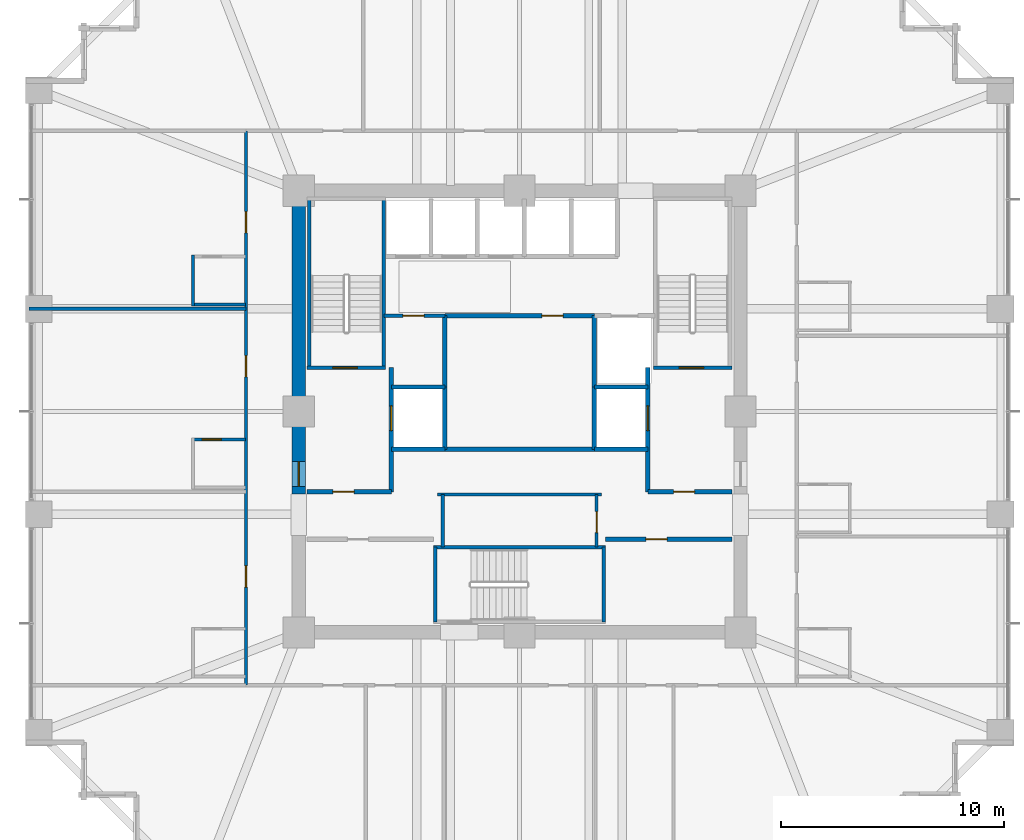
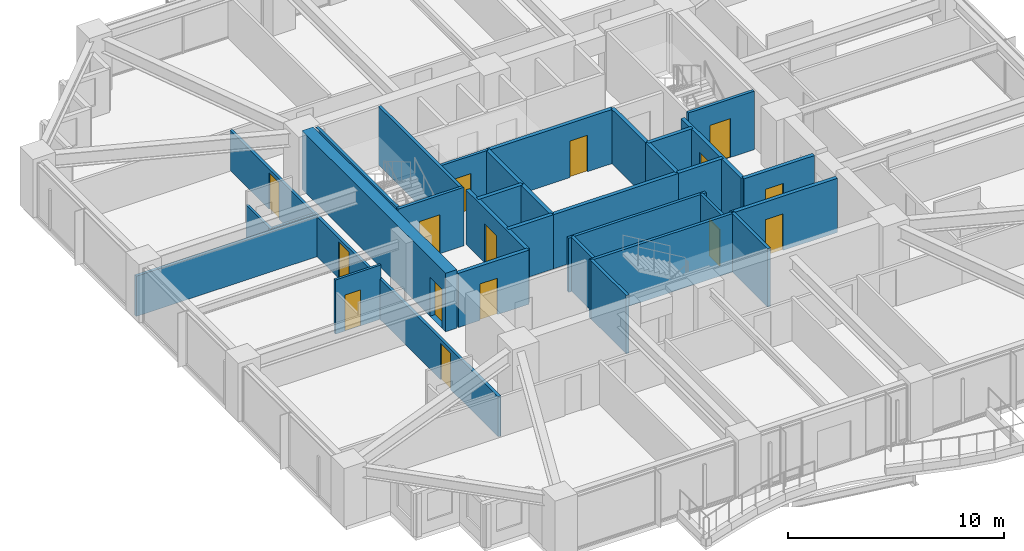
# One storey, part 33 of 38: 32 walls, 15 doors, 15 openings.
"""IFC4 building model written with IfcOpenShell, lengths in metres."""

from ifc_helpers import new_model, si_unit, direction, frame, frame_2d, origin, place, context, subcontext, project, spatial, rectangle, extrude, material, layer, layer_set, type_object, element, fill, save


model = new_model("IFC4")

# Units and contexts
model_context = context("Model", 3, precision=1e-05, world=origin(), true_north=direction((0.0, 1.0)))
body_context = subcontext(model_context, "Body", "Model", "MODEL_VIEW")
ifc_project = project(units=[si_unit("LENGTHUNIT", "METRE"), si_unit("AREAUNIT", "SQUARE_METRE"), si_unit("VOLUMEUNIT", "CUBIC_METRE"), si_unit("PLANEANGLEUNIT", "RADIAN"), si_unit("MASSUNIT", "GRAM", prefix="KILO")], contexts=[model_context])

# Site, building, storey
site_placement = place(None, origin())
site = spatial("IfcSite", under=ifc_project, at=site_placement, CompositionType="ELEMENT")
building_placement = place(site_placement, origin())
building = spatial("IfcBuilding", under=site, at=building_placement, Name="Kolvaren Belvedere", CompositionType="ELEMENT")
storey_placement = place(building_placement, frame((0.0, 0.0, 30.39990234375)))
storey = spatial("IfcBuildingStorey", under=building, at=storey_placement, Name="L08", CompositionType="ELEMENT", Elevation=30.39990234375)

# Wall, opening, door
ifc_material_1 = material(Name="Concrete C60/75", Category="concrete")
ifc_layer_1 = layer(ifc_material_1, 0.60009765625)
ifc_layer_set_1 = layer_set([ifc_layer_1], Name="Concrete C60/75")
wall_type_1 = type_object("IfcWallType", Name="CW-CORE-600", PredefinedType="SHEAR", material=ifc_layer_set_1)
wall_1_placement = place(storey_placement, frame((-9.89990234375, -3.699951171875, 0.0), z_axis=(0.0, 0.0, 1.0), x_axis=(0.0, 1.0, 0.0)))
wall_1 = element("IfcWall", 1, at=wall_1_placement, inside=storey, type_object=wall_type_1, Name="L08 West Core Shear Wall 2", PredefinedType="SHEAR", context=body_context, shape_type="SweptSolid", body=[
    extrude(rectangle(XDim=13.300048828125, YDim=0.60009765625, at=frame_2d((6.64990234375, 0.0))), origin(), (0.0, 0.0, 1.0), 3.300048828125),
])
opening_1_placement = place(wall_1_placement, frame((0.35009765625, 0.0, 0.0)))
opening_1 = element("IfcOpeningElement", 2, at=opening_1_placement, cuts=wall_1, Name="Opening D-FD90", PredefinedType="OPENING", context=body_context, shape_type="SweptSolid", body=[
    extrude(rectangle(XDim=1.10009765625, YDim=2.199951171875, at=frame_2d((0.550048828125, 1.10009765625))), frame((0.0, 0.31005859375, 0.0), z_axis=(0.0, -1.0, 0.0), x_axis=(1.0, 0.0, 0.0)), (0.0, 0.0, 1.0), 0.6201171875),
])
ifc_material_2 = material(Name="Painted hollow stainless steel", Category="steel")
door_type_1 = type_object("IfcDoorType", Name="DR-FD90-1100", OperationType="NOTDEFINED", PredefinedType="DOOR", material=ifc_material_2)
door_1_placement = place(opening_1_placement, origin())
door_1 = element("IfcDoor", 3, at=door_1_placement, inside=storey, type_object=door_type_1, Name="L08 West Firefighting Lobby Fire Door", OperationType="SINGLE_SWING_LEFT", OverallHeight=2.199951171875, OverallWidth=1.10009765625, PredefinedType="DOOR", context=body_context, shape_type="SweptSolid", body=[
    extrude(rectangle(XDim=1.10009765625, YDim=2.199951171875, at=frame_2d((0.550048828125, 1.10009765625))), frame((0.0, 0.02490234375, 0.0), z_axis=(0.0, -1.0, 0.0), x_axis=(1.0, 0.0, 0.0)), (0.0, 0.0, 1.0), 0.050048828125),
])
fill(opening_1, door_1)

ifc_material_3 = material(Name="Concrete C50/60", Category="concrete")
ifc_layer_2 = layer(ifc_material_3, 0.159912109375)
ifc_layer_set_2 = layer_set([ifc_layer_2], Name="Concrete C50/60")
wall_type_2 = type_object("IfcWallType", Name="CW-STAIR-160", PredefinedType="SHEAR", material=ifc_layer_set_2)
wall_2_placement = place(storey_placement, frame((-9.52001953125, 1.969970703125, 0.0), z_axis=(0.0, 0.0, 1.0), x_axis=(1.0, 0.0, 0.0)))
wall_2 = element("IfcWall", 4, at=wall_2_placement, inside=storey, type_object=wall_type_2, Name="L08 Stair ST-1 South Shear Wall", PredefinedType="SHEAR", context=body_context, shape_type="SweptSolid", body=[
    extrude(rectangle(XDim=3.52001953125, YDim=0.159912109375, at=frame_2d((1.760009765625, 0.0))), origin(), (0.0, 0.0, 1.0), 3.300048828125),
])
opening_2_placement = place(wall_2_placement, frame((1.14990234375, 0.0, 0.0)))
opening_2 = element("IfcOpeningElement", 5, at=opening_2_placement, cuts=wall_2, Name="Opening D-FD90", PredefinedType="OPENING", context=body_context, shape_type="SweptSolid", body=[
    extrude(rectangle(XDim=1.10009765625, YDim=2.199951171875, at=frame_2d((0.550048828125, 1.10009765625))), frame((0.0, 0.08984375, 0.0), z_axis=(0.0, -1.0, 0.0), x_axis=(1.0, 0.0, 0.0)), (0.0, 0.0, 1.0), 0.179931640625),
])
door_2_placement = place(opening_2_placement, origin())
door_2 = element("IfcDoor", 6, at=door_2_placement, inside=storey, type_object=door_type_1, Name="L08 Stair ST-1 Fire Door", OperationType="SINGLE_SWING_LEFT", OverallHeight=2.199951171875, OverallWidth=1.10009765625, PredefinedType="DOOR", context=body_context, shape_type="SweptSolid", body=[
    extrude(rectangle(XDim=1.10009765625, YDim=2.199951171875, at=frame_2d((0.550048828125, 1.10009765625))), frame((0.0, 0.02490234375, 0.0), z_axis=(0.0, -1.0, 0.0), x_axis=(1.0, 0.0, 0.0)), (0.0, 0.0, 1.0), 0.050048828125),
])
fill(opening_2, door_2)

# Walls
for number, where, z_axis, x_axis, name in (
    (7, (-9.429931640625, 1.969970703125, 0.0), (0.0, 0.0, 1.0), (0.0, 1.0, 0.0), "L08 Stair ST-1 West Shear Wall"),
    (8, (-6.080078125, 1.969970703125, 0.0), (0.0, 0.0, 1.0), (0.0, 1.0, 0.0), "L08 Stair ST-1 East Shear Wall"),
):
    element("IfcWall", number, at=place(storey_placement, frame(where, z_axis=z_axis, x_axis=x_axis)), inside=storey, type_object=wall_type_2, Name=name, PredefinedType="SHEAR", context=body_context, shape_type="SweptSolid", body=[
        extrude(rectangle(XDim=7.56005859375, YDim=0.159912109375, at=frame_2d((3.780029296875, 0.0))), origin(), (0.0, 0.0, 1.0), 3.300048828125),
    ])

# Wall, opening, door
wall_3_placement = place(storey_placement, frame((6.0, 1.969970703125, 0.0), z_axis=(0.0, 0.0, 1.0), x_axis=(1.0, 0.0, 0.0)))
wall_3 = element("IfcWall", 9, at=wall_3_placement, inside=storey, type_object=wall_type_2, Name="L08 Stair ST-2 South Shear Wall", PredefinedType="SHEAR", context=body_context, shape_type="SweptSolid", body=[
    extrude(rectangle(XDim=3.52001953125, YDim=0.159912109375, at=frame_2d((1.760009765625, 0.0))), origin(), (0.0, 0.0, 1.0), 3.300048828125),
])
opening_3_placement = place(wall_3_placement, frame((1.14990234375, 0.0, 0.0)))
opening_3 = element("IfcOpeningElement", 10, at=opening_3_placement, cuts=wall_3, Name="Opening D-FD90", PredefinedType="OPENING", context=body_context, shape_type="SweptSolid", body=[
    extrude(rectangle(XDim=1.10009765625, YDim=2.199951171875, at=frame_2d((0.550048828125, 1.10009765625))), frame((0.0, 0.08984375, 0.0), z_axis=(0.0, -1.0, 0.0), x_axis=(1.0, 0.0, 0.0)), (0.0, 0.0, 1.0), 0.179931640625),
])
door_3_placement = place(opening_3_placement, origin())
door_3 = element("IfcDoor", 11, at=door_3_placement, inside=storey, type_object=door_type_1, Name="L08 Stair ST-2 Fire Door", OperationType="SINGLE_SWING_RIGHT", OverallHeight=2.199951171875, OverallWidth=1.10009765625, PredefinedType="DOOR", context=body_context, shape_type="SweptSolid", body=[
    extrude(rectangle(XDim=1.10009765625, YDim=2.199951171875, at=frame_2d((0.550048828125, 1.10009765625))), frame((0.0, 0.02490234375, 0.0), z_axis=(0.0, -1.0, 0.0), x_axis=(1.0, 0.0, 0.0)), (0.0, 0.0, 1.0), 0.050048828125),
])
fill(opening_3, door_3)

# Walls
wall_4_placement = place(storey_placement, frame((-3.860107421875, -6.080078125, 0.0), z_axis=(0.0, 0.0, 1.0), x_axis=(1.0, 0.0, 0.0)))
element("IfcWall", 12, at=wall_4_placement, inside=storey, type_object=wall_type_2, Name="L08 Stair ST-3 North Shear Wall", PredefinedType="SHEAR", context=body_context, shape_type="SweptSolid", body=[
    extrude(rectangle(XDim=7.72021484375, YDim=0.159912109375, at=frame_2d((3.860107421875, 0.0))), origin(), (0.0, 0.0, 1.0), 3.300048828125),
])
for number, where, z_axis, x_axis, name in (
    (13, (-3.780029296875, -9.429931640625, 0.0), (0.0, 0.0, 1.0), (0.0, 1.0, 0.0), "L08 Stair ST-3 West Shear Wall"),
    (14, (3.780029296875, -9.429931640625, 0.0), (0.0, 0.0, 1.0), (0.0, 1.0, 0.0), "L08 Stair ST-3 East Shear Wall"),
):
    element("IfcWall", number, at=place(storey_placement, frame(where, z_axis=z_axis, x_axis=x_axis)), inside=storey, type_object=wall_type_2, Name=name, PredefinedType="SHEAR", context=body_context, shape_type="SweptSolid", body=[
        extrude(rectangle(XDim=3.349853515625, YDim=0.159912109375, at=frame_2d((1.6748046875, 0.0))), origin(), (0.0, 0.0, 1.0), 3.300048828125),
    ])

# Wall, openings, doors
ifc_material_4 = material(Name="Gypsum fire-rated partition assembly", Category="gypsum")
ifc_layer_3 = layer(ifc_material_4, 0.14990234375)
ifc_layer_set_3 = layer_set([ifc_layer_3], Name="Gypsum fire-rated partition assembly")
wall_type_3 = type_object("IfcWallType", Name="WL-CORR-150", PredefinedType="PARTITIONING", material=ifc_layer_set_3)
wall_5_placement = place(storey_placement, frame((-12.260009765625, -12.260009765625, 0.0), z_axis=(0.0, 0.0, 1.0), x_axis=(0.0, 1.0, 0.0)))
wall_5 = element("IfcWall", 15, at=wall_5_placement, inside=storey, type_object=wall_type_3, Name="L08 West Corridor Wall", PredefinedType="PARTITIONING", context=body_context, shape_type="SweptSolid", body=[
    extrude(rectangle(XDim=24.840087890625, YDim=0.14990234375, at=frame_2d((12.419921875, 0.0))), origin(), (0.0, 0.0, 1.0), 2.272216796875),
])
opening_4_placement = place(wall_5_placement, frame((4.39453125, 0.0, 0.0)))
opening_4 = element("IfcOpeningElement", 16, at=opening_4_placement, cuts=wall_5, Name="Opening D-FD60", PredefinedType="OPENING", context=body_context, shape_type="SweptSolid", body=[
    extrude(rectangle(XDim=0.949951171875, YDim=2.06005859375, at=frame_2d((0.47509765625, 1.030029296875))), frame((0.0, 0.0849609375, 0.0), z_axis=(0.0, -1.0, 0.0), x_axis=(1.0, 0.0, 0.0)), (0.0, 0.0, 1.0), 0.169921875),
])
opening_5_placement = place(wall_5_placement, frame((13.81494140625, 0.0, 0.0)))
opening_5 = element("IfcOpeningElement", 17, at=opening_5_placement, cuts=wall_5, Name="Opening D-FD60", PredefinedType="OPENING", context=body_context, shape_type="SweptSolid", body=[
    extrude(rectangle(XDim=0.949951171875, YDim=2.06005859375, at=frame_2d((0.47509765625, 1.030029296875))), frame((0.0, 0.0849609375, 0.0), z_axis=(0.0, -1.0, 0.0), x_axis=(1.0, 0.0, 0.0)), (0.0, 0.0, 1.0), 0.169921875),
])
opening_6_placement = place(wall_5_placement, frame((20.267578125, 0.0, 0.0)))
opening_6 = element("IfcOpeningElement", 18, at=opening_6_placement, cuts=wall_5, Name="Opening D-FD60", PredefinedType="OPENING", context=body_context, shape_type="SweptSolid", body=[
    extrude(rectangle(XDim=0.949951171875, YDim=2.06005859375, at=frame_2d((0.47509765625, 1.030029296875))), frame((0.0, 0.0849609375, 0.0), z_axis=(0.0, -1.0, 0.0), x_axis=(1.0, 0.0, 0.0)), (0.0, 0.0, 1.0), 0.169921875),
])
ifc_material_5 = material(Name="Acoustic white-oak fire door leaf", Category="timber")
door_type_2 = type_object("IfcDoorType", Name="DR-FD60-950", OperationType="NOTDEFINED", PredefinedType="DOOR", material=ifc_material_5)
door_4_placement = place(opening_4_placement, origin())
door_4 = element("IfcDoor", 19, at=door_4_placement, inside=storey, type_object=door_type_2, Name="L08 Panoramic Corner Hospitality Suite 809 Entry Door", OperationType="SINGLE_SWING_LEFT", OverallHeight=2.06005859375, OverallWidth=0.949951171875, PredefinedType="DOOR", context=body_context, shape_type="SweptSolid", body=[
    extrude(rectangle(XDim=0.949951171875, YDim=2.06005859375, at=frame_2d((0.47509765625, 1.030029296875))), frame((0.0, 0.02490234375, 0.0), z_axis=(0.0, -1.0, 0.0), x_axis=(1.0, 0.0, 0.0)), (0.0, 0.0, 1.0), 0.050048828125),
])
fill(opening_4, door_4)
door_5_placement = place(opening_5_placement, origin())
door_5 = element("IfcDoor", 20, at=door_5_placement, inside=storey, type_object=door_type_2, Name="L08 Panoramic Corner Hospitality Suite 810 Entry Door", OperationType="SINGLE_SWING_LEFT", OverallHeight=2.06005859375, OverallWidth=0.949951171875, PredefinedType="DOOR", context=body_context, shape_type="SweptSolid", body=[
    extrude(rectangle(XDim=0.949951171875, YDim=2.06005859375, at=frame_2d((0.47509765625, 1.030029296875))), frame((0.0, 0.02490234375, 0.0), z_axis=(0.0, -1.0, 0.0), x_axis=(1.0, 0.0, 0.0)), (0.0, 0.0, 1.0), 0.050048828125),
])
fill(opening_5, door_5)
door_6_placement = place(opening_6_placement, origin())
door_6 = element("IfcDoor", 21, at=door_6_placement, inside=storey, type_object=door_type_2, Name="L08 Panoramic Corner Hospitality Suite 811 Entry Door", OperationType="SINGLE_SWING_LEFT", OverallHeight=2.06005859375, OverallWidth=0.949951171875, PredefinedType="DOOR", context=body_context, shape_type="SweptSolid", body=[
    extrude(rectangle(XDim=0.949951171875, YDim=2.06005859375, at=frame_2d((0.47509765625, 1.030029296875))), frame((0.0, 0.02490234375, 0.0), z_axis=(0.0, -1.0, 0.0), x_axis=(1.0, 0.0, 0.0)), (0.0, 0.0, 1.0), 0.050048828125),
])
fill(opening_6, door_6)

# Wall
ifc_material_6 = material(Name="Gypsum acoustic partition assembly", Category="gypsum")
ifc_layer_4 = layer(ifc_material_6, 0.14990234375)
ifc_layer_set_4 = layer_set([ifc_layer_4], Name="Gypsum acoustic partition assembly")
wall_type_4 = type_object("IfcWallType", Name="WL-PART-150", PredefinedType="PARTITIONING", material=ifc_layer_set_4)
wall_6_placement = place(storey_placement, frame((-3.679931640625, -3.719970703125, 0.0), z_axis=(0.0, 0.0, 1.0), x_axis=(1.0, 0.0, 0.0)))
element("IfcWall", 22, at=wall_6_placement, inside=storey, type_object=wall_type_4, Name="L08 South Core Service North Wall", PredefinedType="PARTITIONING", context=body_context, shape_type="SweptSolid", body=[
    extrude(rectangle(XDim=7.35986328125, YDim=0.14990234375, at=frame_2d((3.679931640625, 0.0))), origin(), (0.0, 0.0, 1.0), 3.06005859375),
])

# Wall, opening, door
wall_7_placement = place(storey_placement, frame((3.449951171875, -6.080078125, 0.0), z_axis=(0.0, 0.0, 1.0), x_axis=(0.0, 1.0, 0.0)))
wall_7 = element("IfcWall", 23, at=wall_7_placement, inside=storey, type_object=wall_type_4, Name="L08 South Core Service East Wall", PredefinedType="PARTITIONING", context=body_context, shape_type="SweptSolid", body=[
    extrude(rectangle(XDim=2.360107421875, YDim=0.14990234375, at=frame_2d((1.18017578125, 0.0))), origin(), (0.0, 0.0, 1.0), 3.06005859375),
])
opening_7_placement = place(wall_7_placement, frame((0.64990234375, 0.0, 0.0)))
opening_7 = element("IfcOpeningElement", 24, at=opening_7_placement, cuts=wall_7, Name="Opening D-FD60", PredefinedType="OPENING", context=body_context, shape_type="SweptSolid", body=[
    extrude(rectangle(XDim=0.949951171875, YDim=2.06005859375, at=frame_2d((0.47509765625, 1.030029296875))), frame((0.0, 0.0849609375, 0.0), z_axis=(0.0, -1.0, 0.0), x_axis=(1.0, 0.0, 0.0)), (0.0, 0.0, 1.0), 0.169921875),
])
door_7_placement = place(opening_7_placement, origin())
door_7 = element("IfcDoor", 25, at=door_7_placement, inside=storey, type_object=door_type_2, Name="L08 Core Service Room Door", OperationType="SINGLE_SWING_LEFT", OverallHeight=2.06005859375, OverallWidth=0.949951171875, PredefinedType="DOOR", context=body_context, shape_type="SweptSolid", body=[
    extrude(rectangle(XDim=0.949951171875, YDim=2.06005859375, at=frame_2d((0.47509765625, 1.030029296875))), frame((0.0, 0.02490234375, 0.0), z_axis=(0.0, -1.0, 0.0), x_axis=(1.0, 0.0, 0.0)), (0.0, 0.0, 1.0), 0.050048828125),
])
fill(opening_7, door_7)

# Wall
wall_8_placement = place(storey_placement, frame((-3.449951171875, -6.080078125, 0.0), z_axis=(0.0, 0.0, 1.0), x_axis=(0.0, 1.0, 0.0)))
element("IfcWall", 26, at=wall_8_placement, inside=storey, type_object=wall_type_4, Name="L08 South Core Service West Wall", PredefinedType="PARTITIONING", context=body_context, shape_type="SweptSolid", body=[
    extrude(rectangle(XDim=2.360107421875, YDim=0.14990234375, at=frame_2d((1.18017578125, 0.0))), origin(), (0.0, 0.0, 1.0), 3.06005859375),
])

# Wall, opening, door
wall_9_placement = place(storey_placement, frame((-6.080078125, 4.300048828125, 0.0), z_axis=(0.0, 0.0, 1.0), x_axis=(1.0, 0.0, 0.0)))
wall_9 = element("IfcWall", 27, at=wall_9_placement, inside=storey, type_object=wall_type_4, Name="L08 NW Service Room North Wall", PredefinedType="PARTITIONING", context=body_context, shape_type="SweptSolid", body=[
    extrude(rectangle(XDim=2.72998046875, YDim=0.14990234375, at=frame_2d((1.364990234375, 0.0))), origin(), (0.0, 0.0, 1.0), 3.06005859375),
])
opening_8_placement = place(wall_9_placement, frame((0.85009765625, 0.0, 0.0)))
opening_8 = element("IfcOpeningElement", 28, at=opening_8_placement, cuts=wall_9, Name="Opening D-FD60", PredefinedType="OPENING", context=body_context, shape_type="SweptSolid", body=[
    extrude(rectangle(XDim=0.949951171875, YDim=2.06005859375, at=frame_2d((0.47509765625, 1.030029296875))), frame((0.0, 0.0849609375, 0.0), z_axis=(0.0, -1.0, 0.0), x_axis=(1.0, 0.0, 0.0)), (0.0, 0.0, 1.0), 0.169921875),
])
door_8_placement = place(opening_8_placement, origin())
door_8 = element("IfcDoor", 29, at=door_8_placement, inside=storey, type_object=door_type_2, Name="L08 NW Core Store Door", OperationType="SINGLE_SWING_RIGHT", OverallHeight=2.06005859375, OverallWidth=0.949951171875, PredefinedType="DOOR", context=body_context, shape_type="SweptSolid", body=[
    extrude(rectangle(XDim=0.949951171875, YDim=2.06005859375, at=frame_2d((0.47509765625, 1.030029296875))), frame((0.0, 0.02490234375, 0.0), z_axis=(0.0, -1.0, 0.0), x_axis=(1.0, 0.0, 0.0)), (0.0, 0.0, 1.0), 0.050048828125),
])
fill(opening_8, door_8)

# Wall
wall_10_placement = place(storey_placement, frame((-21.97998046875, 4.60009765625, 0.0), z_axis=(0.0, 0.0, 1.0), x_axis=(1.0, 0.0, 0.0)))
element("IfcWall", 30, at=wall_10_placement, inside=storey, type_object=wall_type_4, Name="L08 West Suite Demising Wall 2", PredefinedType="PARTITIONING", context=body_context, shape_type="SweptSolid", body=[
    extrude(rectangle(XDim=9.719970703125, YDim=0.14990234375, at=frame_2d((4.85986328125, 0.0))), origin(), (0.0, 0.0, 1.0), 2.272216796875),
])

# Wall, opening, door
ifc_material_7 = material(Name="Concrete C50/60", Category="concrete")
ifc_layer_5 = layer(ifc_material_7, 0.199951171875)
ifc_layer_set_5 = layer_set([ifc_layer_5], Name="Concrete C50/60")
wall_type_5 = type_object("IfcWallType", Name="WL-SHAFT-200", PredefinedType="SOLIDWALL", material=ifc_layer_set_5)
wall_11_placement = place(storey_placement, frame((-9.52001953125, -3.60009765625, 0.0), z_axis=(0.0, 0.0, 1.0), x_axis=(1.0, 0.0, 0.0)))
wall_11 = element("IfcWall", 31, at=wall_11_placement, inside=storey, type_object=wall_type_5, Name="L08 West FSAE Lobby South Wall", PredefinedType="SOLIDWALL", context=body_context, shape_type="SweptSolid", body=[
    extrude(rectangle(XDim=3.77001953125, YDim=0.199951171875, at=frame_2d((1.885009765625, 0.0))), origin(), (0.0, 0.0, 1.0), 3.06005859375),
])
opening_9_placement = place(wall_11_placement, frame((1.14990234375, 0.0, 0.0)))
opening_9 = element("IfcOpeningElement", 32, at=opening_9_placement, cuts=wall_11, Name="Opening D-FD60", PredefinedType="OPENING", context=body_context, shape_type="SweptSolid", body=[
    extrude(rectangle(XDim=0.949951171875, YDim=2.06005859375, at=frame_2d((0.47509765625, 1.030029296875))), frame((0.0, 0.10986328125, 0.0), z_axis=(0.0, -1.0, 0.0), x_axis=(1.0, 0.0, 0.0)), (0.0, 0.0, 1.0), 0.219970703125),
])
door_9_placement = place(opening_9_placement, origin())
door_9 = element("IfcDoor", 33, at=door_9_placement, inside=storey, type_object=door_type_2, Name="L08 SW Lift Lobby Fire Door", OperationType="SINGLE_SWING_LEFT", OverallHeight=2.06005859375, OverallWidth=0.949951171875, PredefinedType="DOOR", context=body_context, shape_type="SweptSolid", body=[
    extrude(rectangle(XDim=0.949951171875, YDim=2.06005859375, at=frame_2d((0.47509765625, 1.030029296875))), frame((0.0, 0.02490234375, 0.0), z_axis=(0.0, -1.0, 0.0), x_axis=(1.0, 0.0, 0.0)), (0.0, 0.0, 1.0), 0.050048828125),
])
fill(opening_9, door_9)

wall_12_placement = place(storey_placement, frame((-5.75, -3.60009765625, 0.0), z_axis=(0.0, 0.0, 1.0), x_axis=(0.0, 1.0, 0.0)))
wall_12 = element("IfcWall", 34, at=wall_12_placement, inside=storey, type_object=wall_type_5, Name="L08 FSAE FS1 Landing Wall", PredefinedType="SOLIDWALL", context=body_context, shape_type="SweptSolid", body=[
    extrude(rectangle(XDim=5.570068359375, YDim=0.199951171875, at=frame_2d((2.78515625, 0.0))), origin(), (0.0, 0.0, 1.0), 3.06005859375),
])
opening_10_placement = place(wall_12_placement, frame((2.75, 0.0, 0.0)))
opening_10 = element("IfcOpeningElement", 35, at=opening_10_placement, cuts=wall_12, Name="Opening LD-11", PredefinedType="OPENING", context=body_context, shape_type="SweptSolid", body=[
    extrude(rectangle(XDim=1.10009765625, YDim=2.199951171875, at=frame_2d((0.550048828125, 1.10009765625))), frame((0.0, 0.10986328125, 0.0), z_axis=(0.0, -1.0, 0.0), x_axis=(1.0, 0.0, 0.0)), (0.0, 0.0, 1.0), 0.219970703125),
])
ifc_material_8 = material(Name="Brushed stainless steel", Category="steel")
door_type_3 = type_object("IfcDoorType", Name="DR-LIFT-1100", OperationType="DOUBLE_DOOR_SLIDING", PredefinedType="DOOR", material=ifc_material_8)
door_10_placement = place(opening_10_placement, origin())
door_10 = element("IfcDoor", 36, at=door_10_placement, inside=storey, type_object=door_type_3, Name="L08 Firefighting Lift FS1 Landing Door", OperationType="DOUBLE_DOOR_SLIDING", OverallHeight=2.199951171875, OverallWidth=1.10009765625, PredefinedType="DOOR", context=body_context, shape_type="SweptSolid", body=[
    extrude(rectangle(XDim=1.10009765625, YDim=2.199951171875, at=frame_2d((0.550048828125, 1.10009765625))), frame((0.0, 0.02490234375, 0.0), z_axis=(0.0, -1.0, 0.0), x_axis=(1.0, 0.0, 0.0)), (0.0, 0.0, 1.0), 0.050048828125),
])
fill(opening_10, door_10)

# Walls
wall_13_placement = place(storey_placement, frame((-3.35009765625, -1.699951171875, 0.0), z_axis=(0.0, 0.0, 1.0), x_axis=(0.0, 1.0, 0.0)))
element("IfcWall", 37, at=wall_13_placement, inside=storey, type_object=wall_type_5, Name="L08 FSAE FS1 Back Wall", PredefinedType="SOLIDWALL", context=body_context, shape_type="SweptSolid", body=[
    extrude(rectangle(XDim=2.800048828125, YDim=0.199951171875, at=frame_2d((1.39990234375, 0.0))), origin(), (0.0, 0.0, 1.0), 3.06005859375),
])
for number, where, z_axis, x_axis, name in (
    (38, (-5.75, -1.699951171875, 0.0), (0.0, 0.0, 1.0), (1.0, 0.0, 0.0), "L08 FSAE FS1 South Wall"),
    (39, (-5.75, 1.10009765625, 0.0), (0.0, 0.0, 1.0), (1.0, 0.0, 0.0), "L08 FSAE FS1 North Wall"),
):
    element("IfcWall", number, at=place(storey_placement, frame(where, z_axis=z_axis, x_axis=x_axis)), inside=storey, type_object=wall_type_5, Name=name, PredefinedType="SOLIDWALL", context=body_context, shape_type="SweptSolid", body=[
        extrude(rectangle(XDim=2.39990234375, YDim=0.199951171875, at=frame_2d((1.199951171875, 0.0))), origin(), (0.0, 0.0, 1.0), 3.06005859375),
    ])

# Wall, opening, door
wall_14_placement = place(storey_placement, frame((5.75, -3.60009765625, 0.0), z_axis=(0.0, 0.0, 1.0), x_axis=(1.0, 0.0, 0.0)))
wall_14 = element("IfcWall", 40, at=wall_14_placement, inside=storey, type_object=wall_type_5, Name="L08 East FSAE Lobby South Wall", PredefinedType="SOLIDWALL", context=body_context, shape_type="SweptSolid", body=[
    extrude(rectangle(XDim=3.77001953125, YDim=0.199951171875, at=frame_2d((1.885009765625, 0.0))), origin(), (0.0, 0.0, 1.0), 3.06005859375),
])
opening_11_placement = place(wall_14_placement, frame((1.14990234375, 0.0, 0.0)))
opening_11 = element("IfcOpeningElement", 41, at=opening_11_placement, cuts=wall_14, Name="Opening D-FD60", PredefinedType="OPENING", context=body_context, shape_type="SweptSolid", body=[
    extrude(rectangle(XDim=0.949951171875, YDim=2.06005859375, at=frame_2d((0.47509765625, 1.030029296875))), frame((0.0, 0.10986328125, 0.0), z_axis=(0.0, -1.0, 0.0), x_axis=(1.0, 0.0, 0.0)), (0.0, 0.0, 1.0), 0.219970703125),
])
door_11_placement = place(opening_11_placement, origin())
door_11 = element("IfcDoor", 42, at=door_11_placement, inside=storey, type_object=door_type_2, Name="L08 SE Lift Lobby Fire Door", OperationType="SINGLE_SWING_RIGHT", OverallHeight=2.06005859375, OverallWidth=0.949951171875, PredefinedType="DOOR", context=body_context, shape_type="SweptSolid", body=[
    extrude(rectangle(XDim=0.949951171875, YDim=2.06005859375, at=frame_2d((0.47509765625, 1.030029296875))), frame((0.0, 0.02490234375, 0.0), z_axis=(0.0, -1.0, 0.0), x_axis=(1.0, 0.0, 0.0)), (0.0, 0.0, 1.0), 0.050048828125),
])
fill(opening_11, door_11)

wall_15_placement = place(storey_placement, frame((5.75, -3.60009765625, 0.0), z_axis=(0.0, 0.0, 1.0), x_axis=(0.0, 1.0, 0.0)))
wall_15 = element("IfcWall", 43, at=wall_15_placement, inside=storey, type_object=wall_type_5, Name="L08 FSAE FS2 Landing Wall", PredefinedType="SOLIDWALL", context=body_context, shape_type="SweptSolid", body=[
    extrude(rectangle(XDim=5.570068359375, YDim=0.199951171875, at=frame_2d((2.78515625, 0.0))), origin(), (0.0, 0.0, 1.0), 3.06005859375),
])
opening_12_placement = place(wall_15_placement, frame((2.75, 0.0, 0.0)))
opening_12 = element("IfcOpeningElement", 44, at=opening_12_placement, cuts=wall_15, Name="Opening LD-11", PredefinedType="OPENING", context=body_context, shape_type="SweptSolid", body=[
    extrude(rectangle(XDim=1.10009765625, YDim=2.199951171875, at=frame_2d((0.550048828125, 1.10009765625))), frame((0.0, 0.10986328125, 0.0), z_axis=(0.0, -1.0, 0.0), x_axis=(1.0, 0.0, 0.0)), (0.0, 0.0, 1.0), 0.219970703125),
])
door_12_placement = place(opening_12_placement, origin())
door_12 = element("IfcDoor", 45, at=door_12_placement, inside=storey, type_object=door_type_3, Name="L08 Firefighting Lift FS2 Landing Door", OperationType="DOUBLE_DOOR_SLIDING", OverallHeight=2.199951171875, OverallWidth=1.10009765625, PredefinedType="DOOR", context=body_context, shape_type="SweptSolid", body=[
    extrude(rectangle(XDim=1.10009765625, YDim=2.199951171875, at=frame_2d((0.550048828125, 1.10009765625))), frame((0.0, 0.02490234375, 0.0), z_axis=(0.0, -1.0, 0.0), x_axis=(1.0, 0.0, 0.0)), (0.0, 0.0, 1.0), 0.050048828125),
])
fill(opening_12, door_12)

# Walls
wall_16_placement = place(storey_placement, frame((3.35009765625, -1.699951171875, 0.0), z_axis=(0.0, 0.0, 1.0), x_axis=(0.0, 1.0, 0.0)))
element("IfcWall", 46, at=wall_16_placement, inside=storey, type_object=wall_type_5, Name="L08 FSAE FS2 Back Wall", PredefinedType="SOLIDWALL", context=body_context, shape_type="SweptSolid", body=[
    extrude(rectangle(XDim=2.800048828125, YDim=0.199951171875, at=frame_2d((1.39990234375, 0.0))), origin(), (0.0, 0.0, 1.0), 3.06005859375),
])
for number, where, z_axis, x_axis, name in (
    (47, (3.35009765625, -1.699951171875, 0.0), (0.0, 0.0, 1.0), (1.0, 0.0, 0.0), "L08 FSAE FS2 South Wall"),
    (48, (3.35009765625, 1.10009765625, 0.0), (0.0, 0.0, 1.0), (1.0, 0.0, 0.0), "L08 FSAE FS2 North Wall"),
):
    element("IfcWall", number, at=place(storey_placement, frame(where, z_axis=z_axis, x_axis=x_axis)), inside=storey, type_object=wall_type_5, Name=name, PredefinedType="SOLIDWALL", context=body_context, shape_type="SweptSolid", body=[
        extrude(rectangle(XDim=2.39990234375, YDim=0.199951171875, at=frame_2d((1.199951171875, 0.0))), origin(), (0.0, 0.0, 1.0), 3.06005859375),
    ])

# Wall, opening, door
wall_17_placement = place(storey_placement, frame((3.860107421875, -5.719970703125, 0.0), z_axis=(0.0, 0.0, 1.0), x_axis=(1.0, 0.0, 0.0)))
wall_17 = element("IfcWall", 49, at=wall_17_placement, inside=storey, type_object=wall_type_5, Name="L08 SE Core Distribution Wall", PredefinedType="SOLIDWALL", context=body_context, shape_type="SweptSolid", body=[
    extrude(rectangle(XDim=5.659912109375, YDim=0.199951171875, at=frame_2d((2.830078125, 0.0))), origin(), (0.0, 0.0, 1.0), 3.06005859375),
])
opening_13_placement = place(wall_17_placement, frame((1.800048828125, 0.0, 0.0)))
opening_13 = element("IfcOpeningElement", 50, at=opening_13_placement, cuts=wall_17, Name="Opening D-FD60", PredefinedType="OPENING", context=body_context, shape_type="SweptSolid", body=[
    extrude(rectangle(XDim=0.949951171875, YDim=2.06005859375, at=frame_2d((0.47509765625, 1.030029296875))), frame((0.0, 0.10986328125, 0.0), z_axis=(0.0, -1.0, 0.0), x_axis=(1.0, 0.0, 0.0)), (0.0, 0.0, 1.0), 0.219970703125),
])
door_13_placement = place(opening_13_placement, origin())
door_13 = element("IfcDoor", 51, at=door_13_placement, inside=storey, type_object=door_type_2, Name="L08 Core Electrical & BMS Room Door", OperationType="SINGLE_SWING_RIGHT", OverallHeight=2.06005859375, OverallWidth=0.949951171875, PredefinedType="DOOR", context=body_context, shape_type="SweptSolid", body=[
    extrude(rectangle(XDim=0.949951171875, YDim=2.06005859375, at=frame_2d((0.47509765625, 1.030029296875))), frame((0.0, 0.02490234375, 0.0), z_axis=(0.0, -1.0, 0.0), x_axis=(1.0, 0.0, 0.0)), (0.0, 0.0, 1.0), 0.050048828125),
])
fill(opening_13, door_13)

wall_18_placement = place(storey_placement, frame((-3.35009765625, 4.300048828125, 0.0), z_axis=(0.0, 0.0, 1.0), x_axis=(1.0, 0.0, 0.0)))
wall_18 = element("IfcWall", 52, at=wall_18_placement, inside=storey, type_object=wall_type_5, Name="L08 Central Core Room North Wall", PredefinedType="SOLIDWALL", context=body_context, shape_type="SweptSolid", body=[
    extrude(rectangle(XDim=6.7001953125, YDim=0.199951171875, at=frame_2d((3.35009765625, 0.0))), origin(), (0.0, 0.0, 1.0), 3.06005859375),
])
opening_14_placement = place(wall_18_placement, frame((4.35009765625, 0.0, 0.0)))
opening_14 = element("IfcOpeningElement", 53, at=opening_14_placement, cuts=wall_18, Name="Opening D-FD60", PredefinedType="OPENING", context=body_context, shape_type="SweptSolid", body=[
    extrude(rectangle(XDim=0.949951171875, YDim=2.06005859375, at=frame_2d((0.47509765625, 1.030029296875))), frame((0.0, 0.10986328125, 0.0), z_axis=(0.0, -1.0, 0.0), x_axis=(1.0, 0.0, 0.0)), (0.0, 0.0, 1.0), 0.219970703125),
])
door_14_placement = place(opening_14_placement, origin())
door_14 = element("IfcDoor", 54, at=door_14_placement, inside=storey, type_object=door_type_2, Name="L08 Central Core Controls Door", OperationType="SINGLE_SWING_LEFT", OverallHeight=2.06005859375, OverallWidth=0.949951171875, PredefinedType="DOOR", context=body_context, shape_type="SweptSolid", body=[
    extrude(rectangle(XDim=0.949951171875, YDim=2.06005859375, at=frame_2d((0.47509765625, 1.030029296875))), frame((0.0, 0.02490234375, 0.0), z_axis=(0.0, -1.0, 0.0), x_axis=(1.0, 0.0, 0.0)), (0.0, 0.0, 1.0), 0.050048828125),
])
fill(opening_14, door_14)

# Walls
wall_19_placement = place(storey_placement, frame((-3.35009765625, -1.699951171875, 0.0), z_axis=(0.0, 0.0, 1.0), x_axis=(1.0, 0.0, 0.0)))
element("IfcWall", 55, at=wall_19_placement, inside=storey, type_object=wall_type_5, Name="L08 Central Core Room South Wall", PredefinedType="SOLIDWALL", context=body_context, shape_type="SweptSolid", body=[
    extrude(rectangle(XDim=6.7001953125, YDim=0.199951171875, at=frame_2d((3.35009765625, 0.0))), origin(), (0.0, 0.0, 1.0), 3.06005859375),
])
for number, where, z_axis, x_axis, name in (
    (56, (-3.35009765625, 1.10009765625, 0.0), (0.0, 0.0, 1.0), (0.0, 1.0, 0.0), "L08 Central Core Room West Wall"),
    (57, (3.35009765625, 1.10009765625, 0.0), (0.0, 0.0, 1.0), (0.0, 1.0, 0.0), "L08 Central Core Room East Wall"),
):
    element("IfcWall", number, at=place(storey_placement, frame(where, z_axis=z_axis, x_axis=x_axis)), inside=storey, type_object=wall_type_5, Name=name, PredefinedType="SOLIDWALL", context=body_context, shape_type="SweptSolid", body=[
        extrude(rectangle(XDim=3.199951171875, YDim=0.199951171875, at=frame_2d((1.60009765625, 0.0))), origin(), (0.0, 0.0, 1.0), 3.06005859375),
    ])

# Wall, opening, door
ifc_material_9 = material(Name="Moisture-resistant gypsum partition", Category="gypsum")
ifc_layer_6 = layer(ifc_material_9, 0.125)
ifc_layer_set_6 = layer_set([ifc_layer_6], Name="Moisture-resistant gypsum partition")
wall_type_6 = type_object("IfcWallType", Name="WL-WET-125", PredefinedType="PARTITIONING", material=ifc_layer_set_6)
wall_20_placement = place(storey_placement, frame((-14.715087890625, -1.2548828125, 0.0), z_axis=(0.0, 0.0, 1.0), x_axis=(1.0, 0.0, 0.0)))
wall_20 = element("IfcWall", 58, at=wall_20_placement, inside=storey, type_object=wall_type_6, Name="L08 Bathroom Partition PW-L08-BTH-10-N", PredefinedType="PARTITIONING", context=body_context, shape_type="SweptSolid", body=[
    extrude(rectangle(XDim=2.440185546875, YDim=0.125, at=frame_2d((1.22021484375, 0.0))), origin(), (0.0, 0.0, 1.0), 3.06005859375),
])
opening_15_placement = place(wall_20_placement, frame((0.5, 0.0, 0.0)))
opening_15 = element("IfcOpeningElement", 59, at=opening_15_placement, cuts=wall_20, Name="Opening D-BTH85", PredefinedType="OPENING", context=body_context, shape_type="SweptSolid", body=[
    extrude(rectangle(XDim=0.85009765625, YDim=2.030029296875, at=frame_2d((0.425048828125, 1.01513671875))), frame((0.0, 0.072509765625, 0.0), z_axis=(0.0, -1.0, 0.0), x_axis=(1.0, 0.0, 0.0)), (0.0, 0.0, 1.0), 0.14501953125),
])
ifc_material_10 = material(Name="Moisture-sealed Pacific white oak", Category="timber")
door_type_4 = type_object("IfcDoorType", Name="DR-BATH-850", OperationType="NOTDEFINED", PredefinedType="DOOR", material=ifc_material_10)
door_15_placement = place(opening_15_placement, origin())
door_15 = element("IfcDoor", 60, at=door_15_placement, inside=storey, type_object=door_type_4, Name="L08 En-Suite Bathroom 810 Door", OperationType="SINGLE_SWING_RIGHT", OverallHeight=2.030029296875, OverallWidth=0.85009765625, PredefinedType="DOOR", context=body_context, shape_type="SweptSolid", body=[
    extrude(rectangle(XDim=0.85009765625, YDim=2.030029296875, at=frame_2d((0.425048828125, 1.01513671875))), frame((0.0, 0.02490234375, 0.0), z_axis=(0.0, -1.0, 0.0), x_axis=(1.0, 0.0, 0.0)), (0.0, 0.0, 1.0), 0.050048828125),
])
fill(opening_15, door_15)

# Walls
wall_21_placement = place(storey_placement, frame((-14.635009765625, 4.735107421875, 0.0), z_axis=(0.0, 0.0, 1.0), x_axis=(0.0, 1.0, 0.0)))
element("IfcWall", 61, at=wall_21_placement, inside=storey, type_object=wall_type_6, Name="L08 Bathroom Partition PW-L08-BTH-11-V", PredefinedType="PARTITIONING", context=body_context, shape_type="SweptSolid", body=[
    extrude(rectangle(XDim=2.269775390625, YDim=0.125, at=frame_2d((1.134765625, 0.0))), origin(), (0.0, 0.0, 1.0), 2.272216796875),
])
wall_22_placement = place(storey_placement, frame((-14.715087890625, 4.794921875, 0.0), z_axis=(0.0, 0.0, 1.0), x_axis=(1.0, 0.0, 0.0)))
element("IfcWall", 62, at=wall_22_placement, inside=storey, type_object=wall_type_6, Name="L08 Bathroom Partition PW-L08-BTH-11-S", PredefinedType="PARTITIONING", context=body_context, shape_type="SweptSolid", body=[
    extrude(rectangle(XDim=2.440185546875, YDim=0.125, at=frame_2d((1.22021484375, 0.0))), origin(), (0.0, 0.0, 1.0), 2.272216796875),
])

save(model, "model.ifc")
